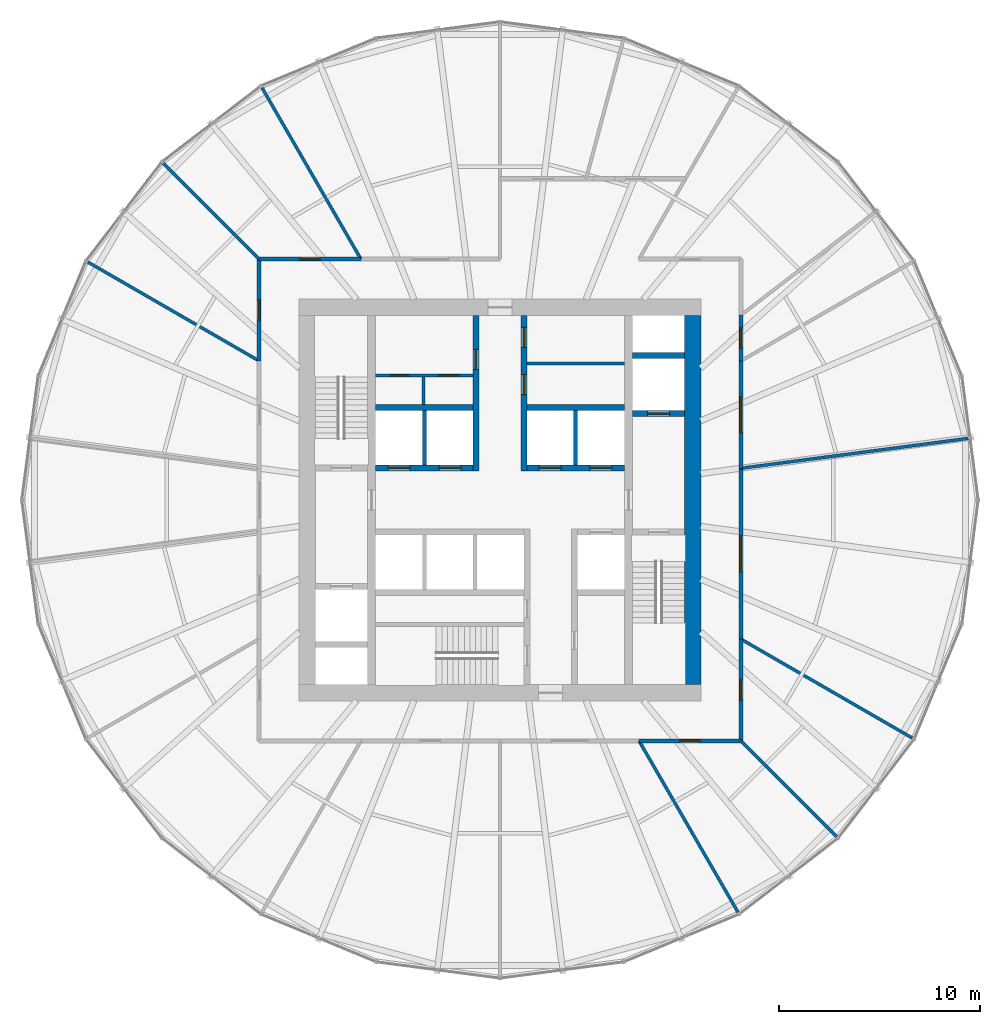
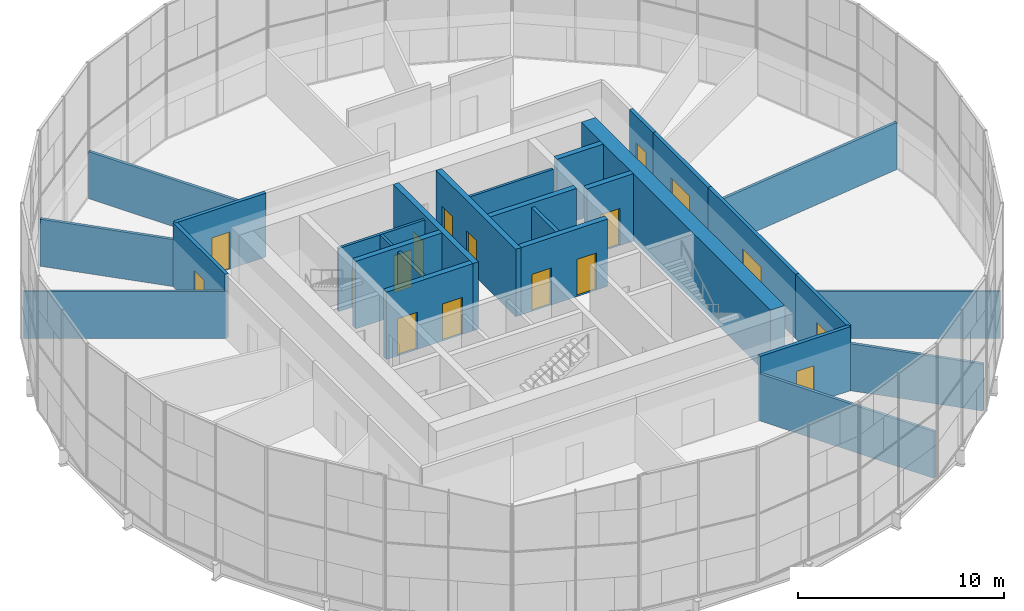
# One storey, part 16 of 18: 28 walls, 17 doors, 17 openings.
"""IFC4 building model written with IfcOpenShell, lengths in metres."""

from ifc_helpers import new_model, si_unit, direction, frame, frame_2d, origin, place, context, subcontext, project, spatial, rectangle, extrude, material, layer, layer_set, type_object, element, fill, save


model = new_model("IFC4")

# Units and contexts
model_context = context("Model", 3, precision=1e-05, world=origin(), true_north=direction((0.0, 1.0)))
body_context = subcontext(model_context, "Body", "Model", "MODEL_VIEW")
ifc_project = project(units=[si_unit("LENGTHUNIT", "METRE"), si_unit("AREAUNIT", "SQUARE_METRE"), si_unit("VOLUMEUNIT", "CUBIC_METRE"), si_unit("PLANEANGLEUNIT", "RADIAN"), si_unit("MASSUNIT", "GRAM", prefix="KILO")], contexts=[model_context])

# Site, building, storey
site_placement = place(None, origin())
site = spatial("IfcSite", under=ifc_project, at=site_placement, CompositionType="ELEMENT")
building_placement = place(site_placement, origin())
building = spatial("IfcBuilding", under=site, at=building_placement, Name="Golbaran Civic Tower", CompositionType="ELEMENT")
storey_placement = place(building_placement, frame((0.0, 0.0, 61.0)))
storey = spatial("IfcBuildingStorey", under=building, at=storey_placement, Name="L14", CompositionType="ELEMENT", Elevation=61.0)

# Walls
ifc_material_1 = material(Name="Concrete block", Category="concrete")
ifc_layer_1 = layer(ifc_material_1, 0.14990234375, Name="Concrete block")
ifc_layer_set_1 = layer_set([ifc_layer_1], Name="Concrete block")
wall_type_1 = type_object("IfcWallType", Name="BLOCKWORK PARTITION 150", PredefinedType="PARTITIONING", material=ifc_layer_set_1)
wall_1_placement = place(storey_placement, frame((1.35009765625, 6.800048828125, 0.0), z_axis=(0.0, 0.0, 1.0), x_axis=(1.0, 0.0, 0.0)))
element("IfcWall", 1, at=wall_1_placement, inside=storey, type_object=wall_type_1, Name="Toilet block partition TN1 L14", PredefinedType="PARTITIONING", context=body_context, shape_type="SweptSolid", body=[
    extrude(rectangle(XDim=4.849853515625, YDim=0.14990234375, at=frame_2d((2.4248046875, 0.0))), origin(), (0.0, 0.0, 1.0), 3.75),
])
ifc_material_2 = material(Name="Concrete C50/60", Category="concrete")
ifc_layer_2 = layer(ifc_material_2, 0.800048828125, Name="Concrete C50/60")
ifc_layer_set_2 = layer_set([ifc_layer_2], Name="Concrete C50/60")
wall_type_2 = type_object("IfcWallType", Name="CORE WALL CONCRETE 800", PredefinedType="SOLIDWALL", material=ifc_layer_set_2)
wall_2_placement = place(storey_placement, frame((9.60009765625, -9.199951171875, 0.0), z_axis=(0.0, 0.0, 1.0), x_axis=(0.0, 1.0, 0.0)))
element("IfcWall", 2, at=wall_2_placement, inside=storey, type_object=wall_type_2, Name="Core wall CE L14", PredefinedType="SOLIDWALL", context=body_context, shape_type="SweptSolid", body=[
    extrude(rectangle(XDim=18.39990234375, YDim=0.800048828125, at=frame_2d((9.199951171875, 0.0))), origin(), (0.0, 0.0, 1.0), 4.0),
])

# Wall, opening, door
ifc_material_3 = material(Name="Gypsum board on steel studs, fire-rated", Category="steel")
ifc_layer_3 = layer(ifc_material_3, 0.199951171875, Name="Gypsum board on steel studs, fire-rated")
ifc_layer_set_3 = layer_set([ifc_layer_3], Name="Gypsum board on steel studs, fire-rated")
wall_type_3 = type_object("IfcWallType", Name="CORRIDOR WALL 200", PredefinedType="PARTITIONING", material=ifc_layer_set_3)
wall_3_placement = place(storey_placement, frame((12.0, -6.92822265625, 0.0), z_axis=(0.0, 0.0, 1.0), x_axis=(0.0, 1.0, 0.0)))
wall_3 = element("IfcWall", 3, at=wall_3_placement, inside=storey, type_object=wall_type_3, Name="Corridor wall L14", PredefinedType="PARTITIONING", context=body_context, shape_type="SweptSolid", body=[
    extrude(rectangle(XDim=8.508056640625, YDim=0.199951171875, at=frame_2d((4.25390625, 0.0))), origin(), (0.0, 0.0, 1.0), 3.800048828125),
])
opening_1_placement = place(wall_3_placement, frame((3.35400390625, 0.0, 0.0)))
opening_1 = element("IfcOpeningElement", 4, at=opening_1_placement, cuts=wall_3, Name="Opening L14.03", PredefinedType="OPENING", context=body_context, shape_type="SweptSolid", body=[
    extrude(rectangle(XDim=1.800048828125, YDim=2.199951171875, at=frame_2d((0.89990234375, 1.10009765625))), frame((0.0, 0.10986328125, 0.0), z_axis=(0.0, -1.0, 0.0), x_axis=(1.0, 0.0, 0.0)), (0.0, 0.0, 1.0), 0.219970703125),
])
ifc_material_4 = material(Name="Timber door set in steel frame", Category="steel")
door_type_1 = type_object("IfcDoorType", Name="OFFICE DOUBLE DOOR 1800x2200", OperationType="DOUBLE_DOOR_SINGLE_SWING", PredefinedType="DOOR", material=ifc_material_4)
door_1_placement = place(opening_1_placement, origin())
door_1 = element("IfcDoor", 5, at=door_1_placement, inside=storey, type_object=door_type_1, Name="Open Office door L14", OperationType="DOUBLE_DOOR_SINGLE_SWING", OverallHeight=2.199951171875, OverallWidth=1.800048828125, PredefinedType="DOOR", context=body_context, shape_type="SweptSolid", body=[
    extrude(rectangle(XDim=1.800048828125, YDim=2.199951171875, at=frame_2d((0.89990234375, 1.10009765625))), frame((0.0, 0.02490234375, 0.0), z_axis=(0.0, -1.0, 0.0), x_axis=(1.0, 0.0, 0.0)), (0.0, 0.0, 1.0), 0.050048828125),
])
fill(opening_1, door_1)

wall_4_placement = place(storey_placement, frame((12.0, 1.579833984375, 0.0), z_axis=(0.0, 0.0, 1.0), x_axis=(0.0, 1.0, 0.0)))
wall_4 = element("IfcWall", 6, at=wall_4_placement, inside=storey, type_object=wall_type_3, Name="Corridor wall L14", PredefinedType="PARTITIONING", context=body_context, shape_type="SweptSolid", body=[
    extrude(rectangle(XDim=5.348388671875, YDim=0.199951171875, at=frame_2d((2.67431640625, 0.0))), origin(), (0.0, 0.0, 1.0), 3.800048828125),
])
opening_2_placement = place(wall_4_placement, frame((1.774169921875, 0.0, 0.0)))
opening_2 = element("IfcOpeningElement", 7, at=opening_2_placement, cuts=wall_4, Name="Opening L14.04", PredefinedType="OPENING", context=body_context, shape_type="SweptSolid", body=[
    extrude(rectangle(XDim=1.800048828125, YDim=2.199951171875, at=frame_2d((0.89990234375, 1.10009765625))), frame((0.0, 0.10986328125, 0.0), z_axis=(0.0, -1.0, 0.0), x_axis=(1.0, 0.0, 0.0)), (0.0, 0.0, 1.0), 0.219970703125),
])
door_2_placement = place(opening_2_placement, origin())
door_2 = element("IfcDoor", 8, at=door_2_placement, inside=storey, type_object=door_type_1, Name="Open Office door L14", OperationType="DOUBLE_DOOR_SINGLE_SWING", OverallHeight=2.199951171875, OverallWidth=1.800048828125, PredefinedType="DOOR", context=body_context, shape_type="SweptSolid", body=[
    extrude(rectangle(XDim=1.800048828125, YDim=2.199951171875, at=frame_2d((0.89990234375, 1.10009765625))), frame((0.0, 0.02490234375, 0.0), z_axis=(0.0, -1.0, 0.0), x_axis=(1.0, 0.0, 0.0)), (0.0, 0.0, 1.0), 0.050048828125),
])
fill(opening_2, door_2)

wall_5_placement = place(storey_placement, frame((12.0, 6.92822265625, 0.0), z_axis=(0.0, 0.0, 1.0), x_axis=(0.0, 1.0, 0.0)))
wall_5 = element("IfcWall", 9, at=wall_5_placement, inside=storey, type_object=wall_type_3, Name="Corridor wall L14", PredefinedType="PARTITIONING", context=body_context, shape_type="SweptSolid", body=[
    extrude(rectangle(XDim=2.27978515625, YDim=0.199951171875, at=frame_2d((1.139892578125, 0.0))), origin(), (0.0, 0.0, 1.0), 3.800048828125),
])
opening_3_placement = place(wall_5_placement, frame((0.639892578125, 0.0, 0.0)))
opening_3 = element("IfcOpeningElement", 10, at=opening_3_placement, cuts=wall_5, Name="Opening L14.05", PredefinedType="OPENING", context=body_context, shape_type="SweptSolid", body=[
    extrude(rectangle(XDim=1.0, YDim=2.199951171875, at=frame_2d((0.5, 1.10009765625))), frame((0.0, 0.10986328125, 0.0), z_axis=(0.0, -1.0, 0.0), x_axis=(1.0, 0.0, 0.0)), (0.0, 0.0, 1.0), 0.219970703125),
])
door_type_2 = type_object("IfcDoorType", Name="OFFICE DOOR 1000x2200", OperationType="SINGLE_SWING_LEFT", PredefinedType="DOOR", material=ifc_material_4)
door_3_placement = place(opening_3_placement, origin())
door_3 = element("IfcDoor", 11, at=door_3_placement, inside=storey, type_object=door_type_2, Name="Pantry door L14", OperationType="SINGLE_SWING_LEFT", OverallHeight=2.199951171875, OverallWidth=1.0, PredefinedType="DOOR", context=body_context, shape_type="SweptSolid", body=[
    extrude(rectangle(XDim=1.0, YDim=2.199951171875, at=frame_2d((0.5, 1.10009765625))), frame((0.0, 0.02490234375, 0.0), z_axis=(0.0, -1.0, 0.0), x_axis=(1.0, 0.0, 0.0)), (0.0, 0.0, 1.0), 0.050048828125),
])
fill(opening_3, door_3)

wall_6_placement = place(storey_placement, frame((-6.92822265625, 12.0, 0.0), z_axis=(0.0, 0.0, 1.0), x_axis=(-1.0, 0.0, 0.0)))
wall_6 = element("IfcWall", 12, at=wall_6_placement, inside=storey, type_object=wall_type_3, Name="Corridor wall L14", PredefinedType="PARTITIONING", context=body_context, shape_type="SweptSolid", body=[
    extrude(rectangle(XDim=5.07177734375, YDim=0.199951171875, at=frame_2d((2.535888671875, 0.0))), origin(), (0.0, 0.0, 1.0), 3.800048828125),
])
opening_4_placement = place(wall_6_placement, frame((2.035888671875, 0.0, 0.0)))
opening_4 = element("IfcOpeningElement", 13, at=opening_4_placement, cuts=wall_6, Name="Opening L14.08", PredefinedType="OPENING", context=body_context, shape_type="SweptSolid", body=[
    extrude(rectangle(XDim=1.0, YDim=2.199951171875, at=frame_2d((0.5, 1.10009765625))), frame((0.0, 0.10986328125, 0.0), z_axis=(0.0, -1.0, 0.0), x_axis=(1.0, 0.0, 0.0)), (0.0, 0.0, 1.0), 0.219970703125),
])
door_4_placement = place(opening_4_placement, origin())
door_4 = element("IfcDoor", 14, at=door_4_placement, inside=storey, type_object=door_type_2, Name="Office door L14", OperationType="SINGLE_SWING_RIGHT", OverallHeight=2.199951171875, OverallWidth=1.0, PredefinedType="DOOR", context=body_context, shape_type="SweptSolid", body=[
    extrude(rectangle(XDim=1.0, YDim=2.199951171875, at=frame_2d((0.5, 1.10009765625))), frame((0.0, 0.02490234375, 0.0), z_axis=(0.0, -1.0, 0.0), x_axis=(1.0, 0.0, 0.0)), (0.0, 0.0, 1.0), 0.050048828125),
])
fill(opening_4, door_4)

wall_7_placement = place(storey_placement, frame((-12.0, 12.0, 0.0), z_axis=(0.0, 0.0, 1.0), x_axis=(0.0, -1.0, 0.0)))
wall_7 = element("IfcWall", 15, at=wall_7_placement, inside=storey, type_object=wall_type_3, Name="Corridor wall L14", PredefinedType="PARTITIONING", context=body_context, shape_type="SweptSolid", body=[
    extrude(rectangle(XDim=5.07177734375, YDim=0.199951171875, at=frame_2d((2.535888671875, 0.0))), origin(), (0.0, 0.0, 1.0), 3.800048828125),
])
opening_5_placement = place(wall_7_placement, frame((2.035888671875, 0.0, 0.0)))
opening_5 = element("IfcOpeningElement", 16, at=opening_5_placement, cuts=wall_7, Name="Opening L14.09", PredefinedType="OPENING", context=body_context, shape_type="SweptSolid", body=[
    extrude(rectangle(XDim=1.0, YDim=2.199951171875, at=frame_2d((0.5, 1.10009765625))), frame((0.0, 0.10986328125, 0.0), z_axis=(0.0, -1.0, 0.0), x_axis=(1.0, 0.0, 0.0)), (0.0, 0.0, 1.0), 0.219970703125),
])
door_5_placement = place(opening_5_placement, origin())
door_5 = element("IfcDoor", 17, at=door_5_placement, inside=storey, type_object=door_type_2, Name="Office door L14", OperationType="SINGLE_SWING_RIGHT", OverallHeight=2.199951171875, OverallWidth=1.0, PredefinedType="DOOR", context=body_context, shape_type="SweptSolid", body=[
    extrude(rectangle(XDim=1.0, YDim=2.199951171875, at=frame_2d((0.5, 1.10009765625))), frame((0.0, 0.02490234375, 0.0), z_axis=(0.0, -1.0, 0.0), x_axis=(1.0, 0.0, 0.0)), (0.0, 0.0, 1.0), 0.050048828125),
])
fill(opening_5, door_5)

wall_8_placement = place(storey_placement, frame((6.92822265625, -12.0, 0.0), z_axis=(0.0, 0.0, 1.0), x_axis=(1.0, 0.0, 0.0)))
wall_8 = element("IfcWall", 18, at=wall_8_placement, inside=storey, type_object=wall_type_3, Name="Corridor wall L14", PredefinedType="PARTITIONING", context=body_context, shape_type="SweptSolid", body=[
    extrude(rectangle(XDim=5.07177734375, YDim=0.199951171875, at=frame_2d((2.535888671875, 0.0))), origin(), (0.0, 0.0, 1.0), 3.800048828125),
])
opening_6_placement = place(wall_8_placement, frame((2.035888671875, 0.0, 0.0)))
opening_6 = element("IfcOpeningElement", 19, at=opening_6_placement, cuts=wall_8, Name="Opening L14.16", PredefinedType="OPENING", context=body_context, shape_type="SweptSolid", body=[
    extrude(rectangle(XDim=1.0, YDim=2.199951171875, at=frame_2d((0.5, 1.10009765625))), frame((0.0, 0.10986328125, 0.0), z_axis=(0.0, -1.0, 0.0), x_axis=(1.0, 0.0, 0.0)), (0.0, 0.0, 1.0), 0.219970703125),
])
door_6_placement = place(opening_6_placement, origin())
door_6 = element("IfcDoor", 20, at=door_6_placement, inside=storey, type_object=door_type_2, Name="Office door L14", OperationType="SINGLE_SWING_LEFT", OverallHeight=2.199951171875, OverallWidth=1.0, PredefinedType="DOOR", context=body_context, shape_type="SweptSolid", body=[
    extrude(rectangle(XDim=1.0, YDim=2.199951171875, at=frame_2d((0.5, 1.10009765625))), frame((0.0, 0.02490234375, 0.0), z_axis=(0.0, -1.0, 0.0), x_axis=(1.0, 0.0, 0.0)), (0.0, 0.0, 1.0), 0.050048828125),
])
fill(opening_6, door_6)

wall_9_placement = place(storey_placement, frame((12.0, -12.0, 0.0), z_axis=(0.0, 0.0, 1.0), x_axis=(0.0, 1.0, 0.0)))
wall_9 = element("IfcWall", 21, at=wall_9_placement, inside=storey, type_object=wall_type_3, Name="Corridor wall L14", PredefinedType="PARTITIONING", context=body_context, shape_type="SweptSolid", body=[
    extrude(rectangle(XDim=5.07177734375, YDim=0.199951171875, at=frame_2d((2.535888671875, 0.0))), origin(), (0.0, 0.0, 1.0), 3.800048828125),
])
opening_7_placement = place(wall_9_placement, frame((2.035888671875, 0.0, 0.0)))
opening_7 = element("IfcOpeningElement", 22, at=opening_7_placement, cuts=wall_9, Name="Opening L14.17", PredefinedType="OPENING", context=body_context, shape_type="SweptSolid", body=[
    extrude(rectangle(XDim=1.0, YDim=2.199951171875, at=frame_2d((0.5, 1.10009765625))), frame((0.0, 0.10986328125, 0.0), z_axis=(0.0, -1.0, 0.0), x_axis=(1.0, 0.0, 0.0)), (0.0, 0.0, 1.0), 0.219970703125),
])
door_7_placement = place(opening_7_placement, origin())
door_7 = element("IfcDoor", 23, at=door_7_placement, inside=storey, type_object=door_type_2, Name="Office door L14", OperationType="SINGLE_SWING_LEFT", OverallHeight=2.199951171875, OverallWidth=1.0, PredefinedType="DOOR", context=body_context, shape_type="SweptSolid", body=[
    extrude(rectangle(XDim=1.0, YDim=2.199951171875, at=frame_2d((0.5, 1.10009765625))), frame((0.0, 0.02490234375, 0.0), z_axis=(0.0, -1.0, 0.0), x_axis=(1.0, 0.0, 0.0)), (0.0, 0.0, 1.0), 0.050048828125),
])
fill(opening_7, door_7)

# Walls
ifc_layer_4 = layer(ifc_material_1, 0.199951171875, Name="Concrete block")
ifc_layer_set_4 = layer_set([ifc_layer_4], Name="Concrete block")
wall_type_4 = type_object("IfcWallType", Name="LIFT SEPARATOR WALL 200", PredefinedType="SOLIDWALL", material=ifc_layer_set_4)
for number, where, z_axis, x_axis, name in (
    (24, (-3.75, 1.75, 0.0), (0.0, 0.0, 1.0), (0.0, 1.0, 0.0), "Core partition SNW L14"),
    (25, (3.75, 1.75, 0.0), (0.0, 0.0, 1.0), (0.0, 1.0, 0.0), "Core partition SNE L14"),
):
    element("IfcWall", number, at=place(storey_placement, frame(where, z_axis=z_axis, x_axis=x_axis)), inside=storey, type_object=wall_type_4, Name=name, PredefinedType="SOLIDWALL", context=body_context, shape_type="SweptSolid", body=[
        extrude(rectangle(XDim=2.699951171875, YDim=0.199951171875, at=frame_2d((1.35009765625, 0.0))), origin(), (0.0, 0.0, 1.0), 3.75),
    ])
ifc_material_5 = material(Name="Gypsum board on steel studs", Category="steel")
ifc_layer_5 = layer(ifc_material_5, 0.14990234375, Name="Gypsum board on steel studs")
ifc_layer_set_5 = layer_set([ifc_layer_5], Name="Gypsum board on steel studs")
wall_type_5 = type_object("IfcWallType", Name="OFFICE PARTITION 150", PredefinedType="PARTITIONING", material=ifc_layer_set_5)
wall_10_placement = place(storey_placement, frame((12.0, -6.92822265625, 0.0), z_axis=(0.0, 0.0, 1.0), x_axis=(0.866031940362, -0.499988678145, 0.0)))
element("IfcWall", 26, at=wall_10_placement, inside=storey, type_object=wall_type_5, Name="Partition 330 L14", PredefinedType="PARTITIONING", context=body_context, shape_type="SweptSolid", body=[
    extrude(rectangle(XDim=9.869873046875, YDim=0.14990234375, at=frame_2d((4.93505859375, 0.0))), origin(), (0.0, 0.0, 1.0), 2.7900390625),
])
wall_11_placement = place(storey_placement, frame((12.0, 1.579833984375, 0.0), z_axis=(0.0, 0.0, 1.0), x_axis=(0.99144592532, 0.130518110492, 0.0)))
element("IfcWall", 27, at=wall_11_placement, inside=storey, type_object=wall_type_5, Name="Partition 7.5 L14", PredefinedType="PARTITIONING", context=body_context, shape_type="SweptSolid", body=[
    extrude(rectangle(XDim=11.419677734375, YDim=0.14990234375, at=frame_2d((5.7099609375, 0.0))), origin(), (0.0, 0.0, 1.0), 2.7900390625),
])
wall_12_placement = place(storey_placement, frame((-6.92822265625, 12.0, 0.0), z_axis=(0.0, 0.0, 1.0), x_axis=(-0.499988678145, 0.866031940362, 0.0)))
element("IfcWall", 28, at=wall_12_placement, inside=storey, type_object=wall_type_5, Name="Partition 120 L14", PredefinedType="PARTITIONING", context=body_context, shape_type="SweptSolid", body=[
    extrude(rectangle(XDim=9.869873046875, YDim=0.14990234375, at=frame_2d((4.93505859375, 0.0))), origin(), (0.0, 0.0, 1.0), 2.7900390625),
])
wall_13_placement = place(storey_placement, frame((-12.0, 12.0, 0.0), z_axis=(0.0, 0.0, 1.0), x_axis=(-0.707106781187, 0.707106781187, 0.0)))
element("IfcWall", 29, at=wall_13_placement, inside=storey, type_object=wall_type_5, Name="Partition 135 L14", PredefinedType="PARTITIONING", context=body_context, shape_type="SweptSolid", body=[
    extrude(rectangle(XDim=6.755615234375, YDim=0.14990234375, at=frame_2d((3.3779296875, 0.0))), origin(), (0.0, 0.0, 1.0), 2.7900390625),
])
for number, where, z_axis, x_axis, name in (
    (30, (-12.0, 6.92822265625, 0.0), (0.0, 0.0, 1.0), (-0.866031940362, 0.499988678145, 0.0), "Partition 150 L14"),
    (31, (6.92822265625, -12.0, 0.0), (0.0, 0.0, 1.0), (0.499988678145, -0.866031940362, 0.0), "Partition 300 L14"),
):
    element("IfcWall", number, at=place(storey_placement, frame(where, z_axis=z_axis, x_axis=x_axis)), inside=storey, type_object=wall_type_5, Name=name, PredefinedType="PARTITIONING", context=body_context, shape_type="SweptSolid", body=[
        extrude(rectangle(XDim=9.869873046875, YDim=0.14990234375, at=frame_2d((4.93505859375, 0.0))), origin(), (0.0, 0.0, 1.0), 2.7900390625),
    ])
wall_14_placement = place(storey_placement, frame((12.0, -12.0, 0.0), z_axis=(0.0, 0.0, 1.0), x_axis=(0.707106781187, -0.707106781187, 0.0)))
element("IfcWall", 32, at=wall_14_placement, inside=storey, type_object=wall_type_5, Name="Partition 315 L14", PredefinedType="PARTITIONING", context=body_context, shape_type="SweptSolid", body=[
    extrude(rectangle(XDim=6.755615234375, YDim=0.14990234375, at=frame_2d((3.3779296875, 0.0))), origin(), (0.0, 0.0, 1.0), 2.7900390625),
])

# Wall, openings, doors
ifc_layer_6 = layer(ifc_material_2, 0.300048828125, Name="Concrete C50/60")
ifc_layer_set_6 = layer_set([ifc_layer_6], Name="Concrete C50/60")
wall_type_6 = type_object("IfcWallType", Name="SHAFT WALL CONCRETE 300", PredefinedType="SOLIDWALL", material=ifc_layer_set_6)
wall_15_placement = place(storey_placement, frame((-6.199951171875, 1.60009765625, 0.0), z_axis=(0.0, 0.0, 1.0), x_axis=(1.0, 0.0, 0.0)))
wall_15 = element("IfcWall", 33, at=wall_15_placement, inside=storey, type_object=wall_type_6, Name="Core wall FNW L14", PredefinedType="SOLIDWALL", context=body_context, shape_type="SweptSolid", body=[
    extrude(rectangle(XDim=4.849853515625, YDim=0.300048828125, at=frame_2d((2.4248046875, 0.0))), origin(), (0.0, 0.0, 1.0), 4.0),
])
opening_8_placement = place(wall_15_placement, frame((0.625, 0.0, 0.0)))
opening_8 = element("IfcOpeningElement", 34, at=opening_8_placement, cuts=wall_15, Name="Opening L14.LD-Z1L", PredefinedType="OPENING", context=body_context, shape_type="SweptSolid", body=[
    extrude(rectangle(XDim=1.10009765625, YDim=2.199951171875, at=frame_2d((0.550048828125, 1.10009765625))), frame((0.0, 0.159912109375, 0.0), z_axis=(0.0, -1.0, 0.0), x_axis=(1.0, 0.0, 0.0)), (0.0, 0.0, 1.0), 0.320068359375),
])
opening_9_placement = place(wall_15_placement, frame((3.14990234375, 0.0, 0.0)))
opening_9 = element("IfcOpeningElement", 35, at=opening_9_placement, cuts=wall_15, Name="Opening L14.LD-Z2L", PredefinedType="OPENING", context=body_context, shape_type="SweptSolid", body=[
    extrude(rectangle(XDim=1.10009765625, YDim=2.199951171875, at=frame_2d((0.550048828125, 1.10009765625))), frame((0.0, 0.159912109375, 0.0), z_axis=(0.0, -1.0, 0.0), x_axis=(1.0, 0.0, 0.0)), (0.0, 0.0, 1.0), 0.320068359375),
])
ifc_material_6 = material(Name="Stainless steel", Category="steel")
door_type_3 = type_object("IfcDoorType", Name="LIFT LANDING DOOR 1100x2200", OperationType="SLIDING_TO_LEFT", PredefinedType="DOOR", material=ifc_material_6)
door_8_placement = place(opening_8_placement, origin())
door_8 = element("IfcDoor", 36, at=door_8_placement, inside=storey, type_object=door_type_3, Name="Lift landing door Z1L", OperationType="SLIDING_TO_LEFT", OverallHeight=2.199951171875, OverallWidth=1.10009765625, PredefinedType="DOOR", context=body_context, shape_type="SweptSolid", body=[
    extrude(rectangle(XDim=1.10009765625, YDim=2.199951171875, at=frame_2d((0.550048828125, 1.10009765625))), frame((0.0, 0.02490234375, 0.0), z_axis=(0.0, -1.0, 0.0), x_axis=(1.0, 0.0, 0.0)), (0.0, 0.0, 1.0), 0.050048828125),
])
fill(opening_8, door_8)
door_9_placement = place(opening_9_placement, origin())
door_9 = element("IfcDoor", 37, at=door_9_placement, inside=storey, type_object=door_type_3, Name="Lift landing door Z2L", OperationType="SLIDING_TO_LEFT", OverallHeight=2.199951171875, OverallWidth=1.10009765625, PredefinedType="DOOR", context=body_context, shape_type="SweptSolid", body=[
    extrude(rectangle(XDim=1.10009765625, YDim=2.199951171875, at=frame_2d((0.550048828125, 1.10009765625))), frame((0.0, 0.02490234375, 0.0), z_axis=(0.0, -1.0, 0.0), x_axis=(1.0, 0.0, 0.0)), (0.0, 0.0, 1.0), 0.050048828125),
])
fill(opening_9, door_9)

wall_16_placement = place(storey_placement, frame((1.35009765625, 1.60009765625, 0.0), z_axis=(0.0, 0.0, 1.0), x_axis=(1.0, 0.0, 0.0)))
wall_16 = element("IfcWall", 38, at=wall_16_placement, inside=storey, type_object=wall_type_6, Name="Core wall FNE L14", PredefinedType="SOLIDWALL", context=body_context, shape_type="SweptSolid", body=[
    extrude(rectangle(XDim=4.849853515625, YDim=0.300048828125, at=frame_2d((2.4248046875, 0.0))), origin(), (0.0, 0.0, 1.0), 4.0),
])
opening_10_placement = place(wall_16_placement, frame((0.60009765625, 0.0, 0.0)))
opening_10 = element("IfcOpeningElement", 39, at=opening_10_placement, cuts=wall_16, Name="Opening L14.LD-Z3L", PredefinedType="OPENING", context=body_context, shape_type="SweptSolid", body=[
    extrude(rectangle(XDim=1.10009765625, YDim=2.199951171875, at=frame_2d((0.550048828125, 1.10009765625))), frame((0.0, 0.159912109375, 0.0), z_axis=(0.0, -1.0, 0.0), x_axis=(1.0, 0.0, 0.0)), (0.0, 0.0, 1.0), 0.320068359375),
])
opening_11_placement = place(wall_16_placement, frame((3.125, 0.0, 0.0)))
opening_11 = element("IfcOpeningElement", 40, at=opening_11_placement, cuts=wall_16, Name="Opening L14.LD-Z4L", PredefinedType="OPENING", context=body_context, shape_type="SweptSolid", body=[
    extrude(rectangle(XDim=1.10009765625, YDim=2.199951171875, at=frame_2d((0.550048828125, 1.10009765625))), frame((0.0, 0.159912109375, 0.0), z_axis=(0.0, -1.0, 0.0), x_axis=(1.0, 0.0, 0.0)), (0.0, 0.0, 1.0), 0.320068359375),
])
door_10_placement = place(opening_10_placement, origin())
door_10 = element("IfcDoor", 41, at=door_10_placement, inside=storey, type_object=door_type_3, Name="Lift landing door Z3L", OperationType="SLIDING_TO_LEFT", OverallHeight=2.199951171875, OverallWidth=1.10009765625, PredefinedType="DOOR", context=body_context, shape_type="SweptSolid", body=[
    extrude(rectangle(XDim=1.10009765625, YDim=2.199951171875, at=frame_2d((0.550048828125, 1.10009765625))), frame((0.0, 0.02490234375, 0.0), z_axis=(0.0, -1.0, 0.0), x_axis=(1.0, 0.0, 0.0)), (0.0, 0.0, 1.0), 0.050048828125),
])
fill(opening_10, door_10)
door_11_placement = place(opening_11_placement, origin())
door_11 = element("IfcDoor", 42, at=door_11_placement, inside=storey, type_object=door_type_3, Name="Lift landing door Z4L", OperationType="SLIDING_TO_LEFT", OverallHeight=2.199951171875, OverallWidth=1.10009765625, PredefinedType="DOOR", context=body_context, shape_type="SweptSolid", body=[
    extrude(rectangle(XDim=1.10009765625, YDim=2.199951171875, at=frame_2d((0.550048828125, 1.10009765625))), frame((0.0, 0.02490234375, 0.0), z_axis=(0.0, -1.0, 0.0), x_axis=(1.0, 0.0, 0.0)), (0.0, 0.0, 1.0), 0.050048828125),
])
fill(opening_11, door_11)

# Walls
for number, where, z_axis, x_axis, name in (
    (43, (-6.199951171875, 4.60009765625, 0.0), (0.0, 0.0, 1.0), (1.0, 0.0, 0.0), "Core wall BNW L14"),
    (44, (1.35009765625, 4.60009765625, 0.0), (0.0, 0.0, 1.0), (1.0, 0.0, 0.0), "Core wall BNE L14"),
):
    element("IfcWall", number, at=place(storey_placement, frame(where, z_axis=z_axis, x_axis=x_axis)), inside=storey, type_object=wall_type_6, Name=name, PredefinedType="SOLIDWALL", context=body_context, shape_type="SweptSolid", body=[
        extrude(rectangle(XDim=4.849853515625, YDim=0.300048828125, at=frame_2d((2.4248046875, 0.0))), origin(), (0.0, 0.0, 1.0), 4.0),
    ])

# Wall, opening, door
wall_17_placement = place(storey_placement, frame((-1.199951171875, 1.449951171875, 0.0), z_axis=(0.0, 0.0, 1.0), x_axis=(0.0, 1.0, 0.0)))
wall_17 = element("IfcWall", 45, at=wall_17_placement, inside=storey, type_object=wall_type_6, Name="Core wall PNW L14", PredefinedType="SOLIDWALL", context=body_context, shape_type="SweptSolid", body=[
    extrude(rectangle(XDim=7.75, YDim=0.300048828125, at=frame_2d((3.875, 0.0))), origin(), (0.0, 0.0, 1.0), 4.0),
])
opening_12_placement = place(wall_17_placement, frame((5.050048828125, 0.0, 0.0)))
opening_12 = element("IfcOpeningElement", 46, at=opening_12_placement, cuts=wall_17, Name="Opening L14.WCM", PredefinedType="OPENING", context=body_context, shape_type="SweptSolid", body=[
    extrude(rectangle(XDim=1.0, YDim=2.199951171875, at=frame_2d((0.5, 1.10009765625))), frame((0.0, 0.159912109375, 0.0), z_axis=(0.0, -1.0, 0.0), x_axis=(1.0, 0.0, 0.0)), (0.0, 0.0, 1.0), 0.320068359375),
])
door_type_4 = type_object("IfcDoorType", Name="TOILET DOOR 1000x2200", OperationType="SINGLE_SWING_LEFT", PredefinedType="DOOR", material=ifc_material_4)
door_12_placement = place(opening_12_placement, origin())
door_12 = element("IfcDoor", 47, at=door_12_placement, inside=storey, type_object=door_type_4, Name="North-west toilet block door", OperationType="SINGLE_SWING_RIGHT", OverallHeight=2.199951171875, OverallWidth=1.0, PredefinedType="DOOR", context=body_context, shape_type="SweptSolid", body=[
    extrude(rectangle(XDim=1.0, YDim=2.199951171875, at=frame_2d((0.5, 1.10009765625))), frame((0.0, 0.02490234375, 0.0), z_axis=(0.0, -1.0, 0.0), x_axis=(1.0, 0.0, 0.0)), (0.0, 0.0, 1.0), 0.050048828125),
])
fill(opening_12, door_12)

# Wall, openings, doors
wall_18_placement = place(storey_placement, frame((1.199951171875, 1.449951171875, 0.0), z_axis=(0.0, 0.0, 1.0), x_axis=(0.0, 1.0, 0.0)))
wall_18 = element("IfcWall", 48, at=wall_18_placement, inside=storey, type_object=wall_type_6, Name="Core wall PNE L14", PredefinedType="SOLIDWALL", context=body_context, shape_type="SweptSolid", body=[
    extrude(rectangle(XDim=7.75, YDim=0.300048828125, at=frame_2d((3.875, 0.0))), origin(), (0.0, 0.0, 1.0), 4.0),
])
opening_13_placement = place(wall_18_placement, frame((3.800048828125, 0.0, 0.0)))
opening_13 = element("IfcOpeningElement", 49, at=opening_13_placement, cuts=wall_18, Name="Opening L14.WCA", PredefinedType="OPENING", context=body_context, shape_type="SweptSolid", body=[
    extrude(rectangle(XDim=1.0, YDim=2.199951171875, at=frame_2d((0.5, 1.10009765625))), frame((0.0, 0.159912109375, 0.0), z_axis=(0.0, -1.0, 0.0), x_axis=(1.0, 0.0, 0.0)), (0.0, 0.0, 1.0), 0.320068359375),
])
opening_14_placement = place(wall_18_placement, frame((6.14990234375, 0.0, 0.0)))
opening_14 = element("IfcOpeningElement", 50, at=opening_14_placement, cuts=wall_18, Name="Opening L14.WCF", PredefinedType="OPENING", context=body_context, shape_type="SweptSolid", body=[
    extrude(rectangle(XDim=1.0, YDim=2.199951171875, at=frame_2d((0.5, 1.10009765625))), frame((0.0, 0.159912109375, 0.0), z_axis=(0.0, -1.0, 0.0), x_axis=(1.0, 0.0, 0.0)), (0.0, 0.0, 1.0), 0.320068359375),
])
door_13_placement = place(opening_13_placement, origin())
door_13 = element("IfcDoor", 51, at=door_13_placement, inside=storey, type_object=door_type_4, Name="Accessible WC door", OperationType="SINGLE_SWING_RIGHT", OverallHeight=2.199951171875, OverallWidth=1.0, PredefinedType="DOOR", context=body_context, shape_type="SweptSolid", body=[
    extrude(rectangle(XDim=1.0, YDim=2.199951171875, at=frame_2d((0.5, 1.10009765625))), frame((0.0, 0.02490234375, 0.0), z_axis=(0.0, -1.0, 0.0), x_axis=(1.0, 0.0, 0.0)), (0.0, 0.0, 1.0), 0.050048828125),
])
fill(opening_13, door_13)
door_14_placement = place(opening_14_placement, origin())
door_14 = element("IfcDoor", 52, at=door_14_placement, inside=storey, type_object=door_type_4, Name="North-east toilet block door", OperationType="SINGLE_SWING_RIGHT", OverallHeight=2.199951171875, OverallWidth=1.0, PredefinedType="DOOR", context=body_context, shape_type="SweptSolid", body=[
    extrude(rectangle(XDim=1.0, YDim=2.199951171875, at=frame_2d((0.5, 1.10009765625))), frame((0.0, 0.02490234375, 0.0), z_axis=(0.0, -1.0, 0.0), x_axis=(1.0, 0.0, 0.0)), (0.0, 0.0, 1.0), 0.050048828125),
])
fill(opening_14, door_14)

# Wall, opening, door
wall_19_placement = place(storey_placement, frame((6.60009765625, 4.300048828125, 0.0), z_axis=(0.0, 0.0, 1.0), x_axis=(1.0, 0.0, 0.0)))
wall_19 = element("IfcWall", 53, at=wall_19_placement, inside=storey, type_object=wall_type_6, Name="Core wall XE2 L14", PredefinedType="SOLIDWALL", context=body_context, shape_type="SweptSolid", body=[
    extrude(rectangle(XDim=2.599853515625, YDim=0.300048828125, at=frame_2d((1.2998046875, 0.0))), origin(), (0.0, 0.0, 1.0), 4.0),
])
opening_15_placement = place(wall_19_placement, frame((0.75, 0.0, 0.0)))
opening_15 = element("IfcOpeningElement", 54, at=opening_15_placement, cuts=wall_19, Name="Opening L14.LD-F2", PredefinedType="OPENING", context=body_context, shape_type="SweptSolid", body=[
    extrude(rectangle(XDim=1.10009765625, YDim=2.199951171875, at=frame_2d((0.550048828125, 1.10009765625))), frame((0.0, 0.159912109375, 0.0), z_axis=(0.0, -1.0, 0.0), x_axis=(1.0, 0.0, 0.0)), (0.0, 0.0, 1.0), 0.320068359375),
])
door_15_placement = place(opening_15_placement, origin())
door_15 = element("IfcDoor", 55, at=door_15_placement, inside=storey, type_object=door_type_3, Name="Lift landing door F2", OperationType="SLIDING_TO_LEFT", OverallHeight=2.199951171875, OverallWidth=1.10009765625, PredefinedType="DOOR", context=body_context, shape_type="SweptSolid", body=[
    extrude(rectangle(XDim=1.10009765625, YDim=2.199951171875, at=frame_2d((0.550048828125, 1.10009765625))), frame((0.0, 0.02490234375, 0.0), z_axis=(0.0, -1.0, 0.0), x_axis=(1.0, 0.0, 0.0)), (0.0, 0.0, 1.0), 0.050048828125),
])
fill(opening_15, door_15)

# Wall
wall_20_placement = place(storey_placement, frame((6.60009765625, 7.199951171875, 0.0), z_axis=(0.0, 0.0, 1.0), x_axis=(1.0, 0.0, 0.0)))
element("IfcWall", 56, at=wall_20_placement, inside=storey, type_object=wall_type_6, Name="Core wall XE3 L14", PredefinedType="SOLIDWALL", context=body_context, shape_type="SweptSolid", body=[
    extrude(rectangle(XDim=2.599853515625, YDim=0.300048828125, at=frame_2d((1.2998046875, 0.0))), origin(), (0.0, 0.0, 1.0), 4.0),
])

# Wall, openings, doors
ifc_material_7 = material(Name="Moisture-resistant gypsum board on steel studs", Category="steel")
ifc_layer_7 = layer(ifc_material_7, 0.14990234375, Name="Moisture-resistant gypsum board on steel studs")
ifc_layer_set_7 = layer_set([ifc_layer_7], Name="Moisture-resistant gypsum board on steel studs")
wall_type_7 = type_object("IfcWallType", Name="TOILET BLOCK PARTITION 150", PredefinedType="PARTITIONING", material=ifc_layer_set_7)
wall_21_placement = place(storey_placement, frame((-6.199951171875, 6.199951171875, 0.0), z_axis=(0.0, 0.0, 1.0), x_axis=(1.0, 0.0, 0.0)))
wall_21 = element("IfcWall", 57, at=wall_21_placement, inside=storey, type_object=wall_type_7, Name="Toilet block partition MSH L14", PredefinedType="PARTITIONING", context=body_context, shape_type="SweptSolid", body=[
    extrude(rectangle(XDim=4.849853515625, YDim=0.14990234375, at=frame_2d((2.4248046875, 0.0))), origin(), (0.0, 0.0, 1.0), 3.75),
])
opening_16_placement = place(wall_21_placement, frame((3.14990234375, 0.0, 0.0)))
opening_16 = element("IfcOpeningElement", 58, at=opening_16_placement, cuts=wall_21, Name="Opening L14.18", PredefinedType="OPENING", context=body_context, shape_type="SweptSolid", body=[
    extrude(rectangle(XDim=1.0, YDim=2.199951171875, at=frame_2d((0.5, 1.10009765625))), frame((0.0, 0.0849609375, 0.0), z_axis=(0.0, -1.0, 0.0), x_axis=(1.0, 0.0, 0.0)), (0.0, 0.0, 1.0), 0.169921875),
])
opening_17_placement = place(wall_21_placement, frame((0.75, 0.0, 0.0)))
opening_17 = element("IfcOpeningElement", 59, at=opening_17_placement, cuts=wall_21, Name="Opening L14.19", PredefinedType="OPENING", context=body_context, shape_type="SweptSolid", body=[
    extrude(rectangle(XDim=0.89990234375, YDim=2.199951171875, at=frame_2d((0.449951171875, 1.10009765625))), frame((0.0, 0.0849609375, 0.0), z_axis=(0.0, -1.0, 0.0), x_axis=(1.0, 0.0, 0.0)), (0.0, 0.0, 1.0), 0.169921875),
])
door_type_5 = type_object("IfcDoorType", Name="RISER DOOR 900x2200", OperationType="SINGLE_SWING_LEFT", PredefinedType="DOOR", material=ifc_material_4)
door_16_placement = place(opening_17_placement, origin())
door_16 = element("IfcDoor", 60, at=door_16_placement, inside=storey, type_object=door_type_5, Name="Cleaner's store door", OperationType="SINGLE_SWING_LEFT", OverallHeight=2.199951171875, OverallWidth=0.89990234375, PredefinedType="DOOR", context=body_context, shape_type="SweptSolid", body=[
    extrude(rectangle(XDim=0.89990234375, YDim=2.199951171875, at=frame_2d((0.449951171875, 1.10009765625))), frame((0.0, 0.02490234375, 0.0), z_axis=(0.0, -1.0, 0.0), x_axis=(1.0, 0.0, 0.0)), (0.0, 0.0, 1.0), 0.050048828125),
])
fill(opening_17, door_16)
door_17_placement = place(opening_16_placement, origin())
door_17 = element("IfcDoor", 61, at=door_17_placement, inside=storey, type_object=door_type_4, Name="Male shower room door", OperationType="SINGLE_SWING_RIGHT", OverallHeight=2.199951171875, OverallWidth=1.0, PredefinedType="DOOR", context=body_context, shape_type="SweptSolid", body=[
    extrude(rectangle(XDim=1.0, YDim=2.199951171875, at=frame_2d((0.5, 1.10009765625))), frame((0.0, 0.02490234375, 0.0), z_axis=(0.0, -1.0, 0.0), x_axis=(1.0, 0.0, 0.0)), (0.0, 0.0, 1.0), 0.050048828125),
])
fill(opening_16, door_17)

# Wall
wall_22_placement = place(storey_placement, frame((-3.800048828125, 4.75, 0.0), z_axis=(0.0, 0.0, 1.0), x_axis=(0.0, 1.0, 0.0)))
element("IfcWall", 62, at=wall_22_placement, inside=storey, type_object=wall_type_7, Name="Toilet block partition MST L14", PredefinedType="PARTITIONING", context=body_context, shape_type="SweptSolid", body=[
    extrude(rectangle(XDim=1.375, YDim=0.14990234375, at=frame_2d((0.6875, 0.0))), origin(), (0.0, 0.0, 1.0), 3.75),
])

save(model, "model.ifc")
